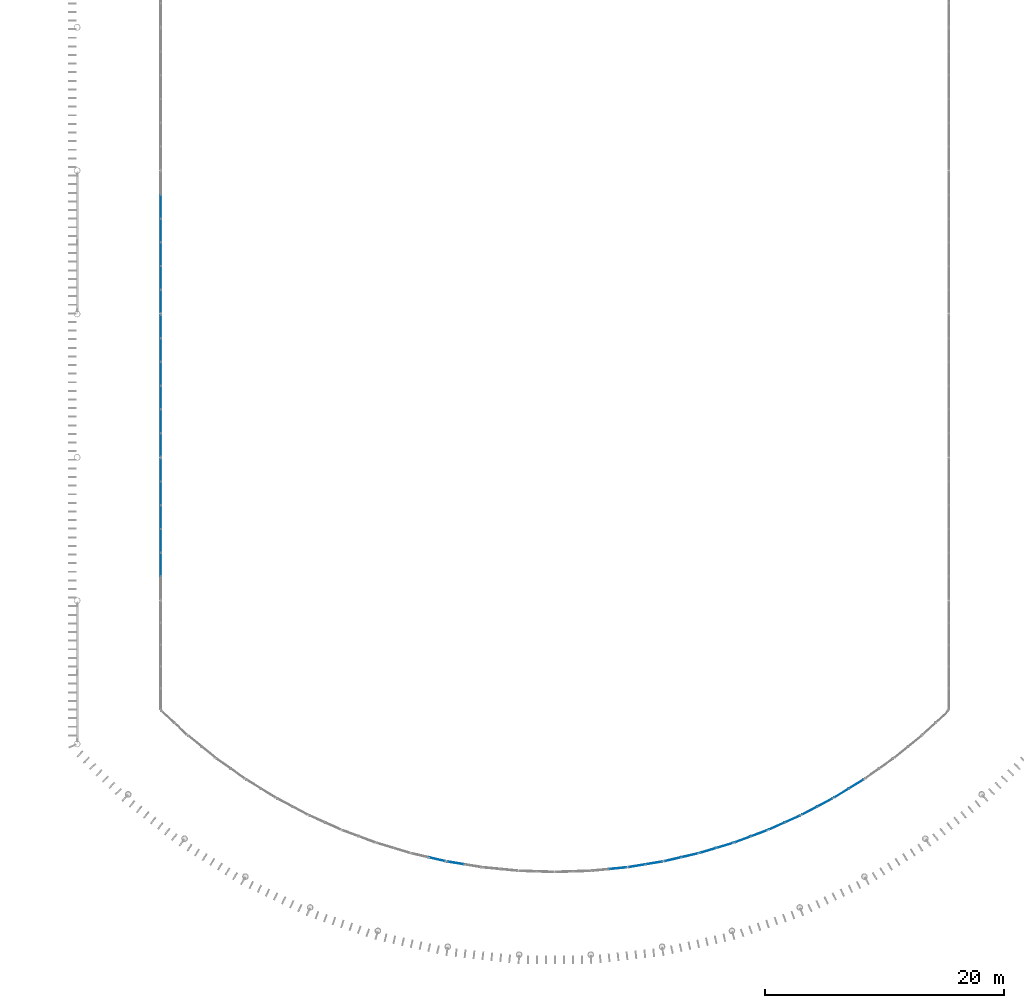
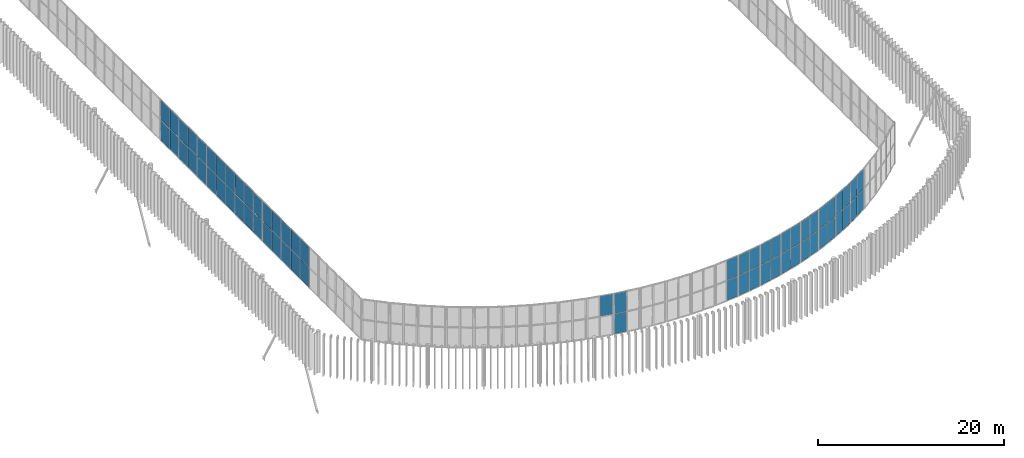
# One storey, part 87 of 170: 65 plates, 13 elements without a shape of their own.
"""IFC4 building model written with IfcOpenShell, lengths in metres."""

from ifc_helpers import new_model, si_unit, direction, frame, origin, origin_2d, place, context, subcontext, project, spatial, rectangle, extrude, material, layer, layer_set, type_object, element, aggregate, save


model = new_model("IFC4")

# Units and contexts
model_context = context("Model", 3, precision=1e-05, world=origin(), true_north=direction((0.0, 1.0)))
body_context = subcontext(model_context, "Body", "Model", "MODEL_VIEW")
ifc_project = project(units=[si_unit("LENGTHUNIT", "METRE"), si_unit("AREAUNIT", "SQUARE_METRE"), si_unit("VOLUMEUNIT", "CUBIC_METRE"), si_unit("PLANEANGLEUNIT", "RADIAN"), si_unit("MASSUNIT", "GRAM", prefix="KILO")], contexts=[model_context])

# Site, building, storey
site_placement = place(None, origin())
site = spatial("IfcSite", under=ifc_project, at=site_placement, CompositionType="ELEMENT")
building_placement = place(site_placement, origin())
building = spatial("IfcBuilding", under=site, at=building_placement, Name="Ravi Spectrum Wholesale Market", CompositionType="ELEMENT")
storey_placement = place(building_placement, frame((0.0, 0.0, 5.39990234375)))
storey = spatial("IfcBuildingStorey", under=building, at=storey_placement, Name="L01", CompositionType="ELEMENT", Elevation=5.39990234375)

# Curtain wall, plates
ifc_material_1 = material(Name="Aluminium 6063-T6", Category="aluminium")
ifc_layer_1 = layer(ifc_material_1, 0.14990234375)
ifc_layer_set_1 = layer_set([ifc_layer_1], Name="Aluminium 6063-T6")
curtain_wall_type = type_object("IfcCurtainWallType", Name="Curtain wall 150", PredefinedType="NOTDEFINED", material=ifc_layer_set_1)
curtain_wall_1_placement = place(storey_placement, origin())
curtain_wall_1 = element("IfcCurtainWall", 1, at=curtain_wall_1_placement, inside=storey, type_object=curtain_wall_type, Name="H1-CW-L01-002", PredefinedType="NOTDEFINED")
ifc_material_2 = material(Name="Toughened glass", Category="glass")
ifc_layer_2 = layer(ifc_material_2, 0.028076171875)
ifc_layer_set_2 = layer_set([ifc_layer_2], Name="Toughened glass")
plate_type_1 = type_object("IfcPlateType", Name="Glazing panel 28", PredefinedType="CURTAIN_PANEL", material=ifc_layer_set_2)
plate_1_placement = place(storey_placement, frame((37.0, 45.02001953125, 0.06005859375), z_axis=(0.0, 0.0, 1.0), x_axis=(0.0, 1.0, 0.0)))
plate_1 = element("IfcPlate", 2, at=plate_1_placement, type_object=plate_type_1, Name="H1-CW-L01-002 panel 2.1", PredefinedType="CURTAIN_PANEL", context=body_context, shape_type="SweptSolid", body=[
    extrude(rectangle(XDim=1.9267578125, YDim=0.028076171875, at=origin_2d()), origin(), (0.0, 0.0, 1.0), 2.610107421875),
])
plate_2_placement = place(storey_placement, frame((37.0, 45.02001953125, 2.72998046875), z_axis=(0.0, 0.0, 1.0), x_axis=(0.0, 1.0, 0.0)))
plate_2 = element("IfcPlate", 3, at=plate_2_placement, type_object=plate_type_1, Name="H1-CW-L01-002 panel 2.2", PredefinedType="CURTAIN_PANEL", context=body_context, shape_type="SweptSolid", body=[
    extrude(rectangle(XDim=1.9267578125, YDim=0.028076171875, at=origin_2d()), origin(), (0.0, 0.0, 1.0), 2.610107421875),
])
plate_3_placement = place(storey_placement, frame((37.0, 47.006591796875, 0.06005859375), z_axis=(0.0, 0.0, 1.0), x_axis=(0.0, 1.0, 0.0)))
plate_3 = element("IfcPlate", 4, at=plate_3_placement, type_object=plate_type_1, Name="H1-CW-L01-002 panel 3.1", PredefinedType="CURTAIN_PANEL", context=body_context, shape_type="SweptSolid", body=[
    extrude(rectangle(XDim=1.9267578125, YDim=0.028076171875, at=origin_2d()), origin(), (0.0, 0.0, 1.0), 2.610107421875),
])
plate_4_placement = place(storey_placement, frame((37.0, 47.006591796875, 2.72998046875), z_axis=(0.0, 0.0, 1.0), x_axis=(0.0, 1.0, 0.0)))
plate_4 = element("IfcPlate", 5, at=plate_4_placement, type_object=plate_type_1, Name="H1-CW-L01-002 panel 3.2", PredefinedType="CURTAIN_PANEL", context=body_context, shape_type="SweptSolid", body=[
    extrude(rectangle(XDim=1.9267578125, YDim=0.028076171875, at=origin_2d()), origin(), (0.0, 0.0, 1.0), 2.610107421875),
])
plate_5_placement = place(storey_placement, frame((37.0, 48.993408203125, 0.06005859375), z_axis=(0.0, 0.0, 1.0), x_axis=(0.0, 1.0, 0.0)))
plate_5 = element("IfcPlate", 6, at=plate_5_placement, type_object=plate_type_1, Name="H1-CW-L01-002 panel 4.1", PredefinedType="CURTAIN_PANEL", context=body_context, shape_type="SweptSolid", body=[
    extrude(rectangle(XDim=1.9267578125, YDim=0.028076171875, at=origin_2d()), origin(), (0.0, 0.0, 1.0), 2.610107421875),
])
plate_6_placement = place(storey_placement, frame((37.0, 48.993408203125, 2.72998046875), z_axis=(0.0, 0.0, 1.0), x_axis=(0.0, 1.0, 0.0)))
plate_6 = element("IfcPlate", 7, at=plate_6_placement, type_object=plate_type_1, Name="H1-CW-L01-002 panel 4.2", PredefinedType="CURTAIN_PANEL", context=body_context, shape_type="SweptSolid", body=[
    extrude(rectangle(XDim=1.9267578125, YDim=0.028076171875, at=origin_2d()), origin(), (0.0, 0.0, 1.0), 2.610107421875),
])
plate_7_placement = place(storey_placement, frame((37.0, 50.97998046875, 0.06005859375), z_axis=(0.0, 0.0, 1.0), x_axis=(0.0, 1.0, 0.0)))
plate_7 = element("IfcPlate", 8, at=plate_7_placement, type_object=plate_type_1, Name="H1-CW-L01-002 panel 5.1", PredefinedType="CURTAIN_PANEL", context=body_context, shape_type="SweptSolid", body=[
    extrude(rectangle(XDim=1.9267578125, YDim=0.028076171875, at=origin_2d()), origin(), (0.0, 0.0, 1.0), 2.610107421875),
])
plate_8_placement = place(storey_placement, frame((37.0, 50.97998046875, 2.72998046875), z_axis=(0.0, 0.0, 1.0), x_axis=(0.0, 1.0, 0.0)))
plate_8 = element("IfcPlate", 9, at=plate_8_placement, type_object=plate_type_1, Name="H1-CW-L01-002 panel 5.2", PredefinedType="CURTAIN_PANEL", context=body_context, shape_type="SweptSolid", body=[
    extrude(rectangle(XDim=1.9267578125, YDim=0.028076171875, at=origin_2d()), origin(), (0.0, 0.0, 1.0), 2.610107421875),
])
plate_9_placement = place(storey_placement, frame((37.0, 52.95166015625, 0.06005859375), z_axis=(0.0, 0.0, 1.0), x_axis=(0.0, 1.0, 0.0)))
plate_9 = element("IfcPlate", 10, at=plate_9_placement, type_object=plate_type_1, Name="H1-CW-L01-002 panel 6.1", PredefinedType="CURTAIN_PANEL", context=body_context, shape_type="SweptSolid", body=[
    extrude(rectangle(XDim=1.896728515625, YDim=0.028076171875, at=origin_2d()), origin(), (0.0, 0.0, 1.0), 2.610107421875),
])
plate_10_placement = place(storey_placement, frame((37.0, 52.95166015625, 2.72998046875), z_axis=(0.0, 0.0, 1.0), x_axis=(0.0, 1.0, 0.0)))
plate_10 = element("IfcPlate", 11, at=plate_10_placement, type_object=plate_type_1, Name="H1-CW-L01-002 panel 6.2", PredefinedType="CURTAIN_PANEL", context=body_context, shape_type="SweptSolid", body=[
    extrude(rectangle(XDim=1.896728515625, YDim=0.028076171875, at=origin_2d()), origin(), (0.0, 0.0, 1.0), 2.610107421875),
])
aggregate(curtain_wall_1, [plate_1, plate_2, plate_3, plate_4, plate_5, plate_6, plate_7, plate_8, plate_9, plate_10])

curtain_wall_2_placement = place(storey_placement, origin())
curtain_wall_2 = element("IfcCurtainWall", 12, at=curtain_wall_2_placement, inside=storey, type_object=curtain_wall_type, Name="H1-CW-L01-003", PredefinedType="NOTDEFINED")
plate_11_placement = place(storey_placement, frame((37.0, 55.04833984375, 0.06005859375), z_axis=(0.0, 0.0, 1.0), x_axis=(0.0, 1.0, 0.0)))
plate_11 = element("IfcPlate", 13, at=plate_11_placement, type_object=plate_type_1, Name="H1-CW-L01-003 panel 1.1", PredefinedType="CURTAIN_PANEL", context=body_context, shape_type="SweptSolid", body=[
    extrude(rectangle(XDim=1.896728515625, YDim=0.028076171875, at=origin_2d()), origin(), (0.0, 0.0, 1.0), 2.610107421875),
])
plate_12_placement = place(storey_placement, frame((37.0, 55.04833984375, 2.72998046875), z_axis=(0.0, 0.0, 1.0), x_axis=(0.0, 1.0, 0.0)))
plate_12 = element("IfcPlate", 14, at=plate_12_placement, type_object=plate_type_1, Name="H1-CW-L01-003 panel 1.2", PredefinedType="CURTAIN_PANEL", context=body_context, shape_type="SweptSolid", body=[
    extrude(rectangle(XDim=1.896728515625, YDim=0.028076171875, at=origin_2d()), origin(), (0.0, 0.0, 1.0), 2.610107421875),
])
plate_13_placement = place(storey_placement, frame((37.0, 57.02001953125, 0.06005859375), z_axis=(0.0, 0.0, 1.0), x_axis=(0.0, 1.0, 0.0)))
plate_13 = element("IfcPlate", 15, at=plate_13_placement, type_object=plate_type_1, Name="H1-CW-L01-003 panel 2.1", PredefinedType="CURTAIN_PANEL", context=body_context, shape_type="SweptSolid", body=[
    extrude(rectangle(XDim=1.9267578125, YDim=0.028076171875, at=origin_2d()), origin(), (0.0, 0.0, 1.0), 2.610107421875),
])
plate_14_placement = place(storey_placement, frame((37.0, 57.02001953125, 2.72998046875), z_axis=(0.0, 0.0, 1.0), x_axis=(0.0, 1.0, 0.0)))
plate_14 = element("IfcPlate", 16, at=plate_14_placement, type_object=plate_type_1, Name="H1-CW-L01-003 panel 2.2", PredefinedType="CURTAIN_PANEL", context=body_context, shape_type="SweptSolid", body=[
    extrude(rectangle(XDim=1.9267578125, YDim=0.028076171875, at=origin_2d()), origin(), (0.0, 0.0, 1.0), 2.610107421875),
])
plate_15_placement = place(storey_placement, frame((37.0, 59.006591796875, 0.06005859375), z_axis=(0.0, 0.0, 1.0), x_axis=(0.0, 1.0, 0.0)))
plate_15 = element("IfcPlate", 17, at=plate_15_placement, type_object=plate_type_1, Name="H1-CW-L01-003 panel 3.1", PredefinedType="CURTAIN_PANEL", context=body_context, shape_type="SweptSolid", body=[
    extrude(rectangle(XDim=1.9267578125, YDim=0.028076171875, at=origin_2d()), origin(), (0.0, 0.0, 1.0), 2.610107421875),
])
plate_16_placement = place(storey_placement, frame((37.0, 59.006591796875, 2.72998046875), z_axis=(0.0, 0.0, 1.0), x_axis=(0.0, 1.0, 0.0)))
plate_16 = element("IfcPlate", 18, at=plate_16_placement, type_object=plate_type_1, Name="H1-CW-L01-003 panel 3.2", PredefinedType="CURTAIN_PANEL", context=body_context, shape_type="SweptSolid", body=[
    extrude(rectangle(XDim=1.9267578125, YDim=0.028076171875, at=origin_2d()), origin(), (0.0, 0.0, 1.0), 2.610107421875),
])
plate_17_placement = place(storey_placement, frame((37.0, 60.993408203125, 0.06005859375), z_axis=(0.0, 0.0, 1.0), x_axis=(0.0, 1.0, 0.0)))
plate_17 = element("IfcPlate", 19, at=plate_17_placement, type_object=plate_type_1, Name="H1-CW-L01-003 panel 4.1", PredefinedType="CURTAIN_PANEL", context=body_context, shape_type="SweptSolid", body=[
    extrude(rectangle(XDim=1.9267578125, YDim=0.028076171875, at=origin_2d()), origin(), (0.0, 0.0, 1.0), 2.610107421875),
])
plate_18_placement = place(storey_placement, frame((37.0, 60.993408203125, 2.72998046875), z_axis=(0.0, 0.0, 1.0), x_axis=(0.0, 1.0, 0.0)))
plate_18 = element("IfcPlate", 20, at=plate_18_placement, type_object=plate_type_1, Name="H1-CW-L01-003 panel 4.2", PredefinedType="CURTAIN_PANEL", context=body_context, shape_type="SweptSolid", body=[
    extrude(rectangle(XDim=1.9267578125, YDim=0.028076171875, at=origin_2d()), origin(), (0.0, 0.0, 1.0), 2.610107421875),
])
plate_19_placement = place(storey_placement, frame((37.0, 62.97998046875, 0.06005859375), z_axis=(0.0, 0.0, 1.0), x_axis=(0.0, 1.0, 0.0)))
plate_19 = element("IfcPlate", 21, at=plate_19_placement, type_object=plate_type_1, Name="H1-CW-L01-003 panel 5.1", PredefinedType="CURTAIN_PANEL", context=body_context, shape_type="SweptSolid", body=[
    extrude(rectangle(XDim=1.9267578125, YDim=0.028076171875, at=origin_2d()), origin(), (0.0, 0.0, 1.0), 2.610107421875),
])
plate_20_placement = place(storey_placement, frame((37.0, 62.97998046875, 2.72998046875), z_axis=(0.0, 0.0, 1.0), x_axis=(0.0, 1.0, 0.0)))
plate_20 = element("IfcPlate", 22, at=plate_20_placement, type_object=plate_type_1, Name="H1-CW-L01-003 panel 5.2", PredefinedType="CURTAIN_PANEL", context=body_context, shape_type="SweptSolid", body=[
    extrude(rectangle(XDim=1.9267578125, YDim=0.028076171875, at=origin_2d()), origin(), (0.0, 0.0, 1.0), 2.610107421875),
])
plate_21_placement = place(storey_placement, frame((37.0, 64.95166015625, 0.06005859375), z_axis=(0.0, 0.0, 1.0), x_axis=(0.0, 1.0, 0.0)))
plate_21 = element("IfcPlate", 23, at=plate_21_placement, type_object=plate_type_1, Name="H1-CW-L01-003 panel 6.1", PredefinedType="CURTAIN_PANEL", context=body_context, shape_type="SweptSolid", body=[
    extrude(rectangle(XDim=1.896728515625, YDim=0.028076171875, at=origin_2d()), origin(), (0.0, 0.0, 1.0), 2.610107421875),
])
plate_22_placement = place(storey_placement, frame((37.0, 64.95166015625, 2.72998046875), z_axis=(0.0, 0.0, 1.0), x_axis=(0.0, 1.0, 0.0)))
plate_22 = element("IfcPlate", 24, at=plate_22_placement, type_object=plate_type_1, Name="H1-CW-L01-003 panel 6.2", PredefinedType="CURTAIN_PANEL", context=body_context, shape_type="SweptSolid", body=[
    extrude(rectangle(XDim=1.896728515625, YDim=0.028076171875, at=origin_2d()), origin(), (0.0, 0.0, 1.0), 2.610107421875),
])
aggregate(curtain_wall_2, [plate_11, plate_12, plate_13, plate_14, plate_15, plate_16, plate_17, plate_18, plate_19, plate_20, plate_21, plate_22])

curtain_wall_3_placement = place(storey_placement, origin())
curtain_wall_3 = element("IfcCurtainWall", 25, at=curtain_wall_3_placement, inside=storey, type_object=curtain_wall_type, Name="H1-CW-L01-004", PredefinedType="NOTDEFINED")
plate_23_placement = place(storey_placement, frame((37.0, 67.04833984375, 0.06005859375), z_axis=(0.0, 0.0, 1.0), x_axis=(0.0, 1.0, 0.0)))
plate_23 = element("IfcPlate", 26, at=plate_23_placement, type_object=plate_type_1, Name="H1-CW-L01-004 panel 1.1", PredefinedType="CURTAIN_PANEL", context=body_context, shape_type="SweptSolid", body=[
    extrude(rectangle(XDim=1.896728515625, YDim=0.028076171875, at=origin_2d()), origin(), (0.0, 0.0, 1.0), 2.610107421875),
])
plate_24_placement = place(storey_placement, frame((37.0, 67.04833984375, 2.72998046875), z_axis=(0.0, 0.0, 1.0), x_axis=(0.0, 1.0, 0.0)))
plate_24 = element("IfcPlate", 27, at=plate_24_placement, type_object=plate_type_1, Name="H1-CW-L01-004 panel 1.2", PredefinedType="CURTAIN_PANEL", context=body_context, shape_type="SweptSolid", body=[
    extrude(rectangle(XDim=1.896728515625, YDim=0.028076171875, at=origin_2d()), origin(), (0.0, 0.0, 1.0), 2.610107421875),
])
plate_25_placement = place(storey_placement, frame((37.0, 69.02001953125, 0.06005859375), z_axis=(0.0, 0.0, 1.0), x_axis=(0.0, 1.0, 0.0)))
plate_25 = element("IfcPlate", 28, at=plate_25_placement, type_object=plate_type_1, Name="H1-CW-L01-004 panel 2.1", PredefinedType="CURTAIN_PANEL", context=body_context, shape_type="SweptSolid", body=[
    extrude(rectangle(XDim=1.9267578125, YDim=0.028076171875, at=origin_2d()), origin(), (0.0, 0.0, 1.0), 2.610107421875),
])
plate_26_placement = place(storey_placement, frame((37.0, 69.02001953125, 2.72998046875), z_axis=(0.0, 0.0, 1.0), x_axis=(0.0, 1.0, 0.0)))
plate_26 = element("IfcPlate", 29, at=plate_26_placement, type_object=plate_type_1, Name="H1-CW-L01-004 panel 2.2", PredefinedType="CURTAIN_PANEL", context=body_context, shape_type="SweptSolid", body=[
    extrude(rectangle(XDim=1.9267578125, YDim=0.028076171875, at=origin_2d()), origin(), (0.0, 0.0, 1.0), 2.610107421875),
])
plate_27_placement = place(storey_placement, frame((37.0, 71.006591796875, 0.06005859375), z_axis=(0.0, 0.0, 1.0), x_axis=(0.0, 1.0, 0.0)))
plate_27 = element("IfcPlate", 30, at=plate_27_placement, type_object=plate_type_1, Name="H1-CW-L01-004 panel 3.1", PredefinedType="CURTAIN_PANEL", context=body_context, shape_type="SweptSolid", body=[
    extrude(rectangle(XDim=1.9267578125, YDim=0.028076171875, at=origin_2d()), origin(), (0.0, 0.0, 1.0), 2.610107421875),
])
plate_28_placement = place(storey_placement, frame((37.0, 71.006591796875, 2.72998046875), z_axis=(0.0, 0.0, 1.0), x_axis=(0.0, 1.0, 0.0)))
plate_28 = element("IfcPlate", 31, at=plate_28_placement, type_object=plate_type_1, Name="H1-CW-L01-004 panel 3.2", PredefinedType="CURTAIN_PANEL", context=body_context, shape_type="SweptSolid", body=[
    extrude(rectangle(XDim=1.9267578125, YDim=0.028076171875, at=origin_2d()), origin(), (0.0, 0.0, 1.0), 2.610107421875),
])
plate_29_placement = place(storey_placement, frame((37.0, 72.993408203125, 0.06005859375), z_axis=(0.0, 0.0, 1.0), x_axis=(0.0, 1.0, 0.0)))
plate_29 = element("IfcPlate", 32, at=plate_29_placement, type_object=plate_type_1, Name="H1-CW-L01-004 panel 4.1", PredefinedType="CURTAIN_PANEL", context=body_context, shape_type="SweptSolid", body=[
    extrude(rectangle(XDim=1.9267578125, YDim=0.028076171875, at=origin_2d()), origin(), (0.0, 0.0, 1.0), 2.610107421875),
])
plate_30_placement = place(storey_placement, frame((37.0, 72.993408203125, 2.72998046875), z_axis=(0.0, 0.0, 1.0), x_axis=(0.0, 1.0, 0.0)))
plate_30 = element("IfcPlate", 33, at=plate_30_placement, type_object=plate_type_1, Name="H1-CW-L01-004 panel 4.2", PredefinedType="CURTAIN_PANEL", context=body_context, shape_type="SweptSolid", body=[
    extrude(rectangle(XDim=1.9267578125, YDim=0.028076171875, at=origin_2d()), origin(), (0.0, 0.0, 1.0), 2.610107421875),
])
plate_31_placement = place(storey_placement, frame((37.0, 74.97998046875, 0.06005859375), z_axis=(0.0, 0.0, 1.0), x_axis=(0.0, 1.0, 0.0)))
plate_31 = element("IfcPlate", 34, at=plate_31_placement, type_object=plate_type_1, Name="H1-CW-L01-004 panel 5.1", PredefinedType="CURTAIN_PANEL", context=body_context, shape_type="SweptSolid", body=[
    extrude(rectangle(XDim=1.9267578125, YDim=0.028076171875, at=origin_2d()), origin(), (0.0, 0.0, 1.0), 2.610107421875),
])
plate_32_placement = place(storey_placement, frame((37.0, 74.97998046875, 2.72998046875), z_axis=(0.0, 0.0, 1.0), x_axis=(0.0, 1.0, 0.0)))
plate_32 = element("IfcPlate", 35, at=plate_32_placement, type_object=plate_type_1, Name="H1-CW-L01-004 panel 5.2", PredefinedType="CURTAIN_PANEL", context=body_context, shape_type="SweptSolid", body=[
    extrude(rectangle(XDim=1.9267578125, YDim=0.028076171875, at=origin_2d()), origin(), (0.0, 0.0, 1.0), 2.610107421875),
])
aggregate(curtain_wall_3, [plate_23, plate_24, plate_25, plate_26, plate_27, plate_28, plate_29, plate_30, plate_31, plate_32])

curtain_wall_4_placement = place(storey_placement, origin())
curtain_wall_4 = element("IfcCurtainWall", 36, at=curtain_wall_4_placement, inside=storey, type_object=curtain_wall_type, Name="H1-CW-L01-038", PredefinedType="NOTDEFINED")
plate_33_placement = place(storey_placement, frame((61.6982421875, 20.03515625, 0.06005859375), z_axis=(0.0, 0.0, 1.0), x_axis=(0.986880409895, -0.161452954652, 0.0)))
plate_33 = element("IfcPlate", 37, at=plate_33_placement, type_object=plate_type_1, Name="H1-CW-L01-038 panel 1.1", PredefinedType="CURTAIN_PANEL", context=body_context, shape_type="SweptSolid", body=[
    extrude(rectangle(XDim=1.39404296875, YDim=0.028076171875, at=origin_2d()), origin(), (0.0, 0.0, 1.0), 2.610107421875),
])
plate_34_placement = place(storey_placement, frame((61.6982421875, 20.03515625, 2.72998046875), z_axis=(0.0, 0.0, 1.0), x_axis=(0.986880409895, -0.161452954652, 0.0)))
plate_34 = element("IfcPlate", 38, at=plate_34_placement, type_object=plate_type_1, Name="H1-CW-L01-038 panel 1.2", PredefinedType="CURTAIN_PANEL", context=body_context, shape_type="SweptSolid", body=[
    extrude(rectangle(XDim=1.39404296875, YDim=0.028076171875, at=origin_2d()), origin(), (0.0, 0.0, 1.0), 2.610107421875),
])
aggregate(curtain_wall_4, [plate_33, plate_34])

# Curtain wall, plate
curtain_wall_5_placement = place(storey_placement, origin())
curtain_wall_5 = element("IfcCurtainWall", 39, at=curtain_wall_5_placement, inside=storey, type_object=curtain_wall_type, Name="H1-CW-L01-042", PredefinedType="NOTDEFINED")
plate_35_placement = place(storey_placement, frame((75.286865234375, 19.59423828125, 0.06005859375), z_axis=(0.0, 0.0, 1.0), x_axis=(0.995270316887, 0.097144203758, 0.0)))
plate_35 = element("IfcPlate", 40, at=plate_35_placement, type_object=plate_type_1, Name="H1-CW-L01-042 panel 2.1", PredefinedType="CURTAIN_PANEL", context=body_context, shape_type="SweptSolid", body=[
    extrude(rectangle(XDim=1.39404296875, YDim=0.028076171875, at=origin_2d()), origin(), (0.0, 0.0, 1.0), 2.610107421875),
])

# Curtain wall, plates
curtain_wall_6_placement = place(storey_placement, origin())
curtain_wall_6 = element("IfcCurtainWall", 41, at=curtain_wall_6_placement, inside=storey, type_object=curtain_wall_type, Name="H1-CW-L01-043", PredefinedType="NOTDEFINED")
plate_36_placement = place(storey_placement, frame((76.86669921875, 19.80029296875, 0.06005859375), z_axis=(0.0, 0.0, 1.0), x_axis=(0.986880409895, 0.161452954652, 0.0)))
plate_36 = element("IfcPlate", 42, at=plate_36_placement, type_object=plate_type_1, Name="H1-CW-L01-043 panel 1.1", PredefinedType="CURTAIN_PANEL", context=body_context, shape_type="SweptSolid", body=[
    extrude(rectangle(XDim=1.39404296875, YDim=0.028076171875, at=origin_2d()), origin(), (0.0, 0.0, 1.0), 2.610107421875),
])
plate_37_placement = place(storey_placement, frame((76.86669921875, 19.80029296875, 2.72998046875), z_axis=(0.0, 0.0, 1.0), x_axis=(0.986880409895, 0.161452954652, 0.0)))
plate_37 = element("IfcPlate", 43, at=plate_37_placement, type_object=plate_type_1, Name="H1-CW-L01-043 panel 1.2", PredefinedType="CURTAIN_PANEL", context=body_context, shape_type="SweptSolid", body=[
    extrude(rectangle(XDim=1.39404296875, YDim=0.028076171875, at=origin_2d()), origin(), (0.0, 0.0, 1.0), 2.610107421875),
])
plate_38_placement = place(storey_placement, frame((78.3017578125, 20.03515625, 0.06005859375), z_axis=(0.0, 0.0, 1.0), x_axis=(0.986880409895, 0.161452954652, 0.0)))
plate_38 = element("IfcPlate", 44, at=plate_38_placement, type_object=plate_type_1, Name="H1-CW-L01-043 panel 2.1", PredefinedType="CURTAIN_PANEL", context=body_context, shape_type="SweptSolid", body=[
    extrude(rectangle(XDim=1.39404296875, YDim=0.028076171875, at=origin_2d()), origin(), (0.0, 0.0, 1.0), 2.610107421875),
])
plate_39_placement = place(storey_placement, frame((78.3017578125, 20.03515625, 2.72998046875), z_axis=(0.0, 0.0, 1.0), x_axis=(0.986880409895, 0.161452954652, 0.0)))
plate_39 = element("IfcPlate", 45, at=plate_39_placement, type_object=plate_type_1, Name="H1-CW-L01-043 panel 2.2", PredefinedType="CURTAIN_PANEL", context=body_context, shape_type="SweptSolid", body=[
    extrude(rectangle(XDim=1.39404296875, YDim=0.028076171875, at=origin_2d()), origin(), (0.0, 0.0, 1.0), 2.610107421875),
])
aggregate(curtain_wall_6, [plate_36, plate_37, plate_38, plate_39])

curtain_wall_7_placement = place(storey_placement, origin())
curtain_wall_7 = element("IfcCurtainWall", 46, at=curtain_wall_7_placement, inside=storey, type_object=curtain_wall_type, Name="H1-CW-L01-044", PredefinedType="NOTDEFINED")
plate_40_placement = place(storey_placement, frame((79.864990234375, 20.34326171875, 0.06005859375), z_axis=(0.0, 0.0, 1.0), x_axis=(0.97433967791, 0.225082633827, 0.0)))
plate_40 = element("IfcPlate", 47, at=plate_40_placement, type_object=plate_type_1, Name="H1-CW-L01-044 panel 1.1", PredefinedType="CURTAIN_PANEL", context=body_context, shape_type="SweptSolid", body=[
    extrude(rectangle(XDim=1.39404296875, YDim=0.028076171875, at=origin_2d()), origin(), (0.0, 0.0, 1.0), 2.610107421875),
])
plate_41_placement = place(storey_placement, frame((81.28173828125, 20.67041015625, 0.06005859375), z_axis=(0.0, 0.0, 1.0), x_axis=(0.97433967791, 0.225082633827, 0.0)))
plate_41 = element("IfcPlate", 48, at=plate_41_placement, type_object=plate_type_1, Name="H1-CW-L01-044 panel 2.1", PredefinedType="CURTAIN_PANEL", context=body_context, shape_type="SweptSolid", body=[
    extrude(rectangle(XDim=1.39404296875, YDim=0.028076171875, at=origin_2d()), origin(), (0.0, 0.0, 1.0), 2.610107421875),
])
plate_42_placement = place(storey_placement, frame((81.28173828125, 20.67041015625, 2.72998046875), z_axis=(0.0, 0.0, 1.0), x_axis=(0.97433967791, 0.225082633827, 0.0)))
plate_42 = element("IfcPlate", 49, at=plate_42_placement, type_object=plate_type_1, Name="H1-CW-L01-044 panel 2.2", PredefinedType="CURTAIN_PANEL", context=body_context, shape_type="SweptSolid", body=[
    extrude(rectangle(XDim=1.39404296875, YDim=0.028076171875, at=origin_2d()), origin(), (0.0, 0.0, 1.0), 2.610107421875),
])

curtain_wall_8_placement = place(storey_placement, origin())
curtain_wall_8 = element("IfcCurtainWall", 50, at=curtain_wall_8_placement, inside=storey, type_object=curtain_wall_type, Name="H1-CW-L01-045", PredefinedType="NOTDEFINED")
plate_43_placement = place(storey_placement, frame((82.821533203125, 21.079345703125, 0.06005859375), z_axis=(0.0, 0.0, 1.0), x_axis=(0.957700867469, 0.287765613735, 0.0)))
plate_43 = element("IfcPlate", 51, at=plate_43_placement, type_object=plate_type_1, Name="H1-CW-L01-045 panel 1.1", PredefinedType="CURTAIN_PANEL", context=body_context, shape_type="SweptSolid", body=[
    extrude(rectangle(XDim=1.39404296875, YDim=0.028076171875, at=origin_2d()), origin(), (0.0, 0.0, 1.0), 2.610107421875),
])
plate_44_placement = place(storey_placement, frame((82.821533203125, 21.079345703125, 2.72998046875), z_axis=(0.0, 0.0, 1.0), x_axis=(0.957700867469, 0.287765613735, 0.0)))
plate_44 = element("IfcPlate", 52, at=plate_44_placement, type_object=plate_type_1, Name="H1-CW-L01-045 panel 1.2", PredefinedType="CURTAIN_PANEL", context=body_context, shape_type="SweptSolid", body=[
    extrude(rectangle(XDim=1.39404296875, YDim=0.028076171875, at=origin_2d()), origin(), (0.0, 0.0, 1.0), 2.610107421875),
])
plate_45_placement = place(storey_placement, frame((84.214111328125, 21.49755859375, 0.06005859375), z_axis=(0.0, 0.0, 1.0), x_axis=(0.957700867469, 0.287765613735, 0.0)))
plate_45 = element("IfcPlate", 53, at=plate_45_placement, type_object=plate_type_1, Name="H1-CW-L01-045 panel 2.1", PredefinedType="CURTAIN_PANEL", context=body_context, shape_type="SweptSolid", body=[
    extrude(rectangle(XDim=1.39404296875, YDim=0.028076171875, at=origin_2d()), origin(), (0.0, 0.0, 1.0), 2.610107421875),
])
plate_46_placement = place(storey_placement, frame((84.214111328125, 21.49755859375, 2.72998046875), z_axis=(0.0, 0.0, 1.0), x_axis=(0.957700867469, 0.287765613735, 0.0)))
plate_46 = element("IfcPlate", 54, at=plate_46_placement, type_object=plate_type_1, Name="H1-CW-L01-045 panel 2.2", PredefinedType="CURTAIN_PANEL", context=body_context, shape_type="SweptSolid", body=[
    extrude(rectangle(XDim=1.39404296875, YDim=0.028076171875, at=origin_2d()), origin(), (0.0, 0.0, 1.0), 2.610107421875),
])
aggregate(curtain_wall_8, [plate_43, plate_44, plate_45, plate_46])

curtain_wall_9_placement = place(storey_placement, origin())
curtain_wall_9 = element("IfcCurtainWall", 55, at=curtain_wall_9_placement, inside=storey, type_object=curtain_wall_type, Name="H1-CW-L01-046", PredefinedType="NOTDEFINED")
plate_47_placement = place(storey_placement, frame((85.724365234375, 22.00537109375, 0.06005859375), z_axis=(0.0, 0.0, 1.0), x_axis=(0.937033961456, 0.349238249734, 0.0)))
plate_47 = element("IfcPlate", 56, at=plate_47_placement, type_object=plate_type_1, Name="H1-CW-L01-046 panel 1.1", PredefinedType="CURTAIN_PANEL", context=body_context, shape_type="SweptSolid", body=[
    extrude(rectangle(XDim=1.39404296875, YDim=0.028076171875, at=origin_2d()), origin(), (0.0, 0.0, 1.0), 2.610107421875),
])
plate_48_placement = place(storey_placement, frame((87.0869140625, 22.51318359375, 0.06005859375), z_axis=(0.0, 0.0, 1.0), x_axis=(0.937033961456, 0.349238249734, 0.0)))
plate_48 = element("IfcPlate", 57, at=plate_48_placement, type_object=plate_type_1, Name="H1-CW-L01-046 panel 2.1", PredefinedType="CURTAIN_PANEL", context=body_context, shape_type="SweptSolid", body=[
    extrude(rectangle(XDim=1.39404296875, YDim=0.028076171875, at=origin_2d()), origin(), (0.0, 0.0, 1.0), 2.610107421875),
])
plate_49_placement = place(storey_placement, frame((87.0869140625, 22.51318359375, 2.72998046875), z_axis=(0.0, 0.0, 1.0), x_axis=(0.937033961456, 0.349238249734, 0.0)))
plate_49 = element("IfcPlate", 58, at=plate_49_placement, type_object=plate_type_1, Name="H1-CW-L01-046 panel 2.2", PredefinedType="CURTAIN_PANEL", context=body_context, shape_type="SweptSolid", body=[
    extrude(rectangle(XDim=1.39404296875, YDim=0.028076171875, at=origin_2d()), origin(), (0.0, 0.0, 1.0), 2.610107421875),
])

curtain_wall_10_placement = place(storey_placement, origin())
curtain_wall_10 = element("IfcCurtainWall", 59, at=curtain_wall_10_placement, inside=storey, type_object=curtain_wall_type, Name="H1-CW-L01-047", PredefinedType="NOTDEFINED")
plate_50_placement = place(storey_placement, frame((88.560791015625, 23.11767578125, 0.06005859375), z_axis=(0.0, 0.0, 1.0), x_axis=(0.912425885012, 0.409241987534, 0.0)))
plate_50 = element("IfcPlate", 60, at=plate_50_placement, type_object=plate_type_1, Name="H1-CW-L01-047 panel 1.1", PredefinedType="CURTAIN_PANEL", context=body_context, shape_type="SweptSolid", body=[
    extrude(rectangle(XDim=1.39404296875, YDim=0.028076171875, at=origin_2d()), origin(), (0.0, 0.0, 1.0), 2.610107421875),
])
plate_51_placement = place(storey_placement, frame((88.560791015625, 23.11767578125, 2.72998046875), z_axis=(0.0, 0.0, 1.0), x_axis=(0.912425885012, 0.409241987534, 0.0)))
plate_51 = element("IfcPlate", 61, at=plate_51_placement, type_object=plate_type_1, Name="H1-CW-L01-047 panel 1.2", PredefinedType="CURTAIN_PANEL", context=body_context, shape_type="SweptSolid", body=[
    extrude(rectangle(XDim=1.39404296875, YDim=0.028076171875, at=origin_2d()), origin(), (0.0, 0.0, 1.0), 2.610107421875),
])
plate_52_placement = place(storey_placement, frame((89.8876953125, 23.712890625, 0.06005859375), z_axis=(0.0, 0.0, 1.0), x_axis=(0.912425885012, 0.409241987534, 0.0)))
plate_52 = element("IfcPlate", 62, at=plate_52_placement, type_object=plate_type_1, Name="H1-CW-L01-047 panel 2.1", PredefinedType="CURTAIN_PANEL", context=body_context, shape_type="SweptSolid", body=[
    extrude(rectangle(XDim=1.39404296875, YDim=0.028076171875, at=origin_2d()), origin(), (0.0, 0.0, 1.0), 2.610107421875),
])

curtain_wall_11_placement = place(storey_placement, origin())
curtain_wall_11 = element("IfcCurtainWall", 63, at=curtain_wall_11_placement, inside=storey, type_object=curtain_wall_type, Name="H1-CW-L01-048", PredefinedType="NOTDEFINED")
plate_53_placement = place(storey_placement, frame((91.3193359375, 24.41162109375, 0.06005859375), z_axis=(0.0, 0.0, 1.0), x_axis=(0.883980139931, 0.467524450919, 0.0)))
plate_53 = element("IfcPlate", 64, at=plate_53_placement, type_object=plate_type_1, Name="H1-CW-L01-048 panel 1.1", PredefinedType="CURTAIN_PANEL", context=body_context, shape_type="SweptSolid", body=[
    extrude(rectangle(XDim=1.39404296875, YDim=0.028076171875, at=origin_2d()), origin(), (0.0, 0.0, 1.0), 2.610107421875),
])
plate_54_placement = place(storey_placement, frame((91.3193359375, 24.41162109375, 2.72998046875), z_axis=(0.0, 0.0, 1.0), x_axis=(0.883980139931, 0.467524450919, 0.0)))
plate_54 = element("IfcPlate", 65, at=plate_54_placement, type_object=plate_type_1, Name="H1-CW-L01-048 panel 1.2", PredefinedType="CURTAIN_PANEL", context=body_context, shape_type="SweptSolid", body=[
    extrude(rectangle(XDim=1.39404296875, YDim=0.028076171875, at=origin_2d()), origin(), (0.0, 0.0, 1.0), 2.610107421875),
])
plate_55_placement = place(storey_placement, frame((92.604736328125, 25.09130859375, 0.06005859375), z_axis=(0.0, 0.0, 1.0), x_axis=(0.883980139931, 0.467524450919, 0.0)))
plate_55 = element("IfcPlate", 66, at=plate_55_placement, type_object=plate_type_1, Name="H1-CW-L01-048 panel 2.1", PredefinedType="CURTAIN_PANEL", context=body_context, shape_type="SweptSolid", body=[
    extrude(rectangle(XDim=1.39404296875, YDim=0.028076171875, at=origin_2d()), origin(), (0.0, 0.0, 1.0), 2.610107421875),
])
plate_56_placement = place(storey_placement, frame((92.604736328125, 25.09130859375, 2.72998046875), z_axis=(0.0, 0.0, 1.0), x_axis=(0.883980139931, 0.467524450919, 0.0)))
plate_56 = element("IfcPlate", 67, at=plate_56_placement, type_object=plate_type_1, Name="H1-CW-L01-048 panel 2.2", PredefinedType="CURTAIN_PANEL", context=body_context, shape_type="SweptSolid", body=[
    extrude(rectangle(XDim=1.39404296875, YDim=0.028076171875, at=origin_2d()), origin(), (0.0, 0.0, 1.0), 2.610107421875),
])
aggregate(curtain_wall_11, [plate_53, plate_54, plate_55, plate_56])

curtain_wall_12_placement = place(storey_placement, origin())
curtain_wall_12 = element("IfcCurtainWall", 68, at=curtain_wall_12_placement, inside=storey, type_object=curtain_wall_type, Name="H1-CW-L01-049", PredefinedType="NOTDEFINED")
plate_57_placement = place(storey_placement, frame((93.98828125, 25.881591796875, 0.06005859375), z_axis=(0.0, 0.0, 1.0), x_axis=(0.851816369057, 0.523840503785, 0.0)))
plate_57 = element("IfcPlate", 69, at=plate_57_placement, type_object=plate_type_1, Name="H1-CW-L01-049 panel 1.1", PredefinedType="CURTAIN_PANEL", context=body_context, shape_type="SweptSolid", body=[
    extrude(rectangle(XDim=1.39404296875, YDim=0.028076171875, at=origin_2d()), origin(), (0.0, 0.0, 1.0), 2.610107421875),
])
plate_58_placement = place(storey_placement, frame((93.98828125, 25.881591796875, 2.72998046875), z_axis=(0.0, 0.0, 1.0), x_axis=(0.851816369057, 0.523840503785, 0.0)))
plate_58 = element("IfcPlate", 70, at=plate_58_placement, type_object=plate_type_1, Name="H1-CW-L01-049 panel 1.2", PredefinedType="CURTAIN_PANEL", context=body_context, shape_type="SweptSolid", body=[
    extrude(rectangle(XDim=1.39404296875, YDim=0.028076171875, at=origin_2d()), origin(), (0.0, 0.0, 1.0), 2.610107421875),
])
plate_59_placement = place(storey_placement, frame((95.226806640625, 26.643310546875, 0.06005859375), z_axis=(0.0, 0.0, 1.0), x_axis=(0.851816369057, 0.523840503785, 0.0)))
plate_59 = element("IfcPlate", 71, at=plate_59_placement, type_object=plate_type_1, Name="H1-CW-L01-049 panel 2.1", PredefinedType="CURTAIN_PANEL", context=body_context, shape_type="SweptSolid", body=[
    extrude(rectangle(XDim=1.39404296875, YDim=0.028076171875, at=origin_2d()), origin(), (0.0, 0.0, 1.0), 2.610107421875),
])

# Curtain wall, plate
curtain_wall_13_placement = place(storey_placement, origin())
curtain_wall_13 = element("IfcCurtainWall", 72, at=curtain_wall_13_placement, inside=storey, type_object=curtain_wall_type, Name="H1-CW-L01-037", PredefinedType="NOTDEFINED")
ifc_material_3 = material(Name="Insulated panel")
ifc_layer_3 = layer(ifc_material_3, 0.028076171875)
ifc_layer_set_3 = layer_set([ifc_layer_3], Name="Insulated panel")
plate_type_2 = type_object("IfcPlateType", Name="Opaque insulated panel 28", PredefinedType="CURTAIN_PANEL", material=ifc_layer_set_3)
plate_60_placement = place(storey_placement, frame((60.135009765625, 20.34326171875, 2.72998046875), z_axis=(0.0, 0.0, 1.0), x_axis=(0.97433967791, -0.225082633827, 0.0)))
plate_60 = element("IfcPlate", 73, at=plate_60_placement, type_object=plate_type_2, Name="H1-CW-L01-037 panel 2.2", PredefinedType="CURTAIN_PANEL", context=body_context, shape_type="SweptSolid", body=[
    extrude(rectangle(XDim=1.39404296875, YDim=0.028076171875, at=origin_2d()), origin(), (0.0, 0.0, 1.0), 2.610107421875),
])
aggregate(curtain_wall_13, [plate_60])

# Plate
plate_61_placement = place(storey_placement, frame((75.286865234375, 19.59423828125, 2.72998046875), z_axis=(0.0, 0.0, 1.0), x_axis=(0.995270316887, 0.097144203758, 0.0)))
plate_61 = element("IfcPlate", 74, at=plate_61_placement, type_object=plate_type_2, Name="H1-CW-L01-042 panel 2.2", PredefinedType="CURTAIN_PANEL", context=body_context, shape_type="SweptSolid", body=[
    extrude(rectangle(XDim=1.39404296875, YDim=0.028076171875, at=origin_2d()), origin(), (0.0, 0.0, 1.0), 2.610107421875),
])

aggregate(curtain_wall_5, [plate_35, plate_61])

plate_62_placement = place(storey_placement, frame((79.864990234375, 20.34326171875, 2.72998046875), z_axis=(0.0, 0.0, 1.0), x_axis=(0.97433967791, 0.225082633827, 0.0)))
plate_62 = element("IfcPlate", 75, at=plate_62_placement, type_object=plate_type_2, Name="H1-CW-L01-044 panel 1.2", PredefinedType="CURTAIN_PANEL", context=body_context, shape_type="SweptSolid", body=[
    extrude(rectangle(XDim=1.39404296875, YDim=0.028076171875, at=origin_2d()), origin(), (0.0, 0.0, 1.0), 2.610107421875),
])

aggregate(curtain_wall_7, [plate_40, plate_62, plate_41, plate_42])

plate_63_placement = place(storey_placement, frame((85.724365234375, 22.00537109375, 2.72998046875), z_axis=(0.0, 0.0, 1.0), x_axis=(0.937033961456, 0.349238249734, 0.0)))
plate_63 = element("IfcPlate", 76, at=plate_63_placement, type_object=plate_type_2, Name="H1-CW-L01-046 panel 1.2", PredefinedType="CURTAIN_PANEL", context=body_context, shape_type="SweptSolid", body=[
    extrude(rectangle(XDim=1.39404296875, YDim=0.028076171875, at=origin_2d()), origin(), (0.0, 0.0, 1.0), 2.610107421875),
])

aggregate(curtain_wall_9, [plate_47, plate_63, plate_48, plate_49])

plate_64_placement = place(storey_placement, frame((89.8876953125, 23.712890625, 2.72998046875), z_axis=(0.0, 0.0, 1.0), x_axis=(0.912425885012, 0.409241987534, 0.0)))
plate_64 = element("IfcPlate", 77, at=plate_64_placement, type_object=plate_type_2, Name="H1-CW-L01-047 panel 2.2", PredefinedType="CURTAIN_PANEL", context=body_context, shape_type="SweptSolid", body=[
    extrude(rectangle(XDim=1.39404296875, YDim=0.028076171875, at=origin_2d()), origin(), (0.0, 0.0, 1.0), 2.610107421875),
])

aggregate(curtain_wall_10, [plate_50, plate_51, plate_52, plate_64])

plate_65_placement = place(storey_placement, frame((95.226806640625, 26.643310546875, 2.72998046875), z_axis=(0.0, 0.0, 1.0), x_axis=(0.851816369057, 0.523840503785, 0.0)))
plate_65 = element("IfcPlate", 78, at=plate_65_placement, type_object=plate_type_2, Name="H1-CW-L01-049 panel 2.2", PredefinedType="CURTAIN_PANEL", context=body_context, shape_type="SweptSolid", body=[
    extrude(rectangle(XDim=1.39404296875, YDim=0.028076171875, at=origin_2d()), origin(), (0.0, 0.0, 1.0), 2.610107421875),
])

aggregate(curtain_wall_12, [plate_57, plate_58, plate_59, plate_65])

save(model, "model.ifc")
